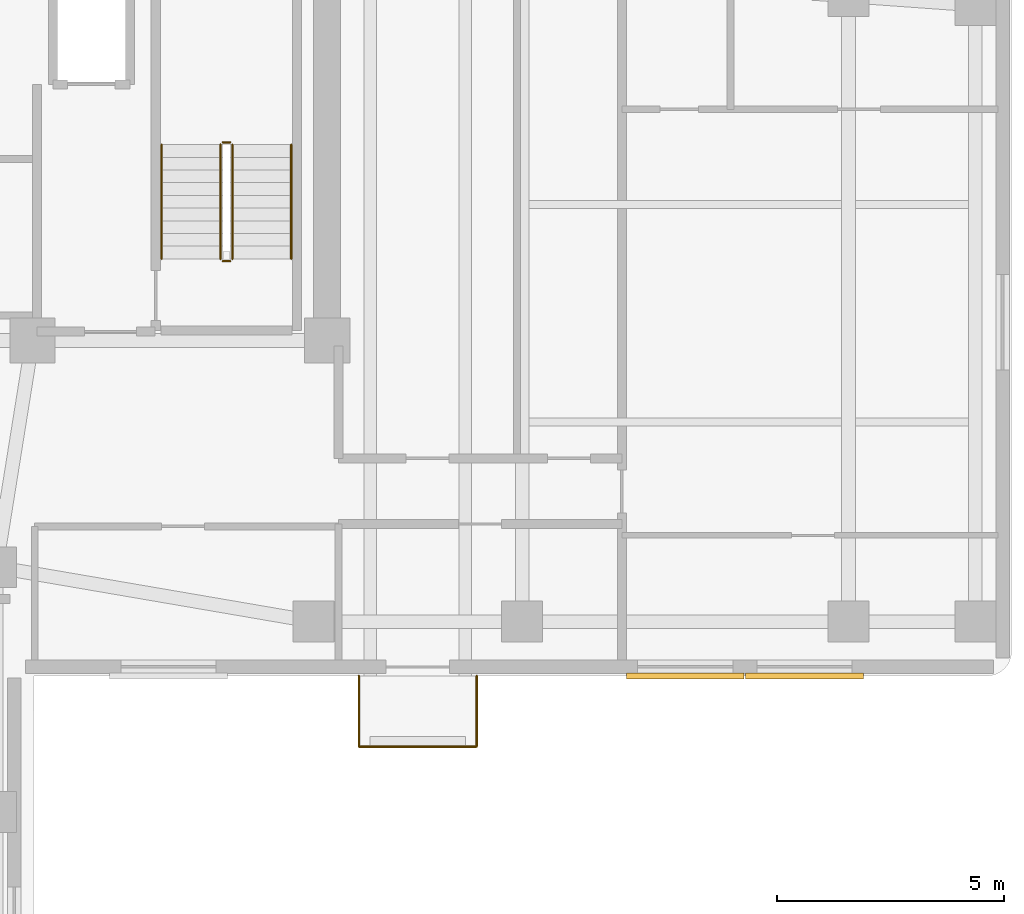
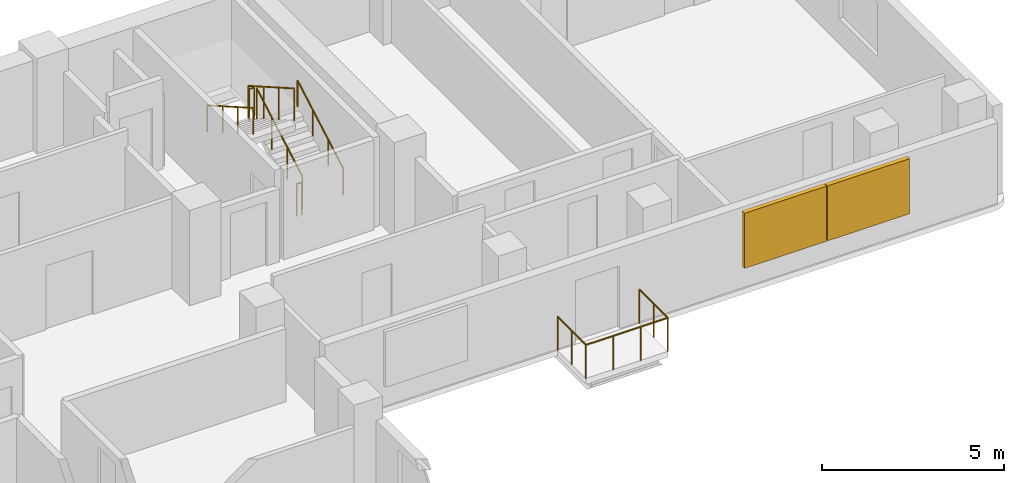
# One storey, part 7 of 7: 9 railings, 2 shading devices.
"""IFC4 building model written with IfcOpenShell, lengths in metres."""

from ifc_helpers import new_model, si_unit, direction, frame, origin, origin_2d, place, context, subcontext, project, spatial, rectangle, circle, extrude, material, layer, layer_set, type_object, element, save


model = new_model("IFC4")

# Units and contexts
model_context = context("Model", 3, precision=1e-05, world=origin(), true_north=direction((0.0, 1.0)))
body_context = subcontext(model_context, "Body", "Model", "MODEL_VIEW")
ifc_project = project(units=[si_unit("LENGTHUNIT", "METRE"), si_unit("AREAUNIT", "SQUARE_METRE"), si_unit("VOLUMEUNIT", "CUBIC_METRE"), si_unit("PLANEANGLEUNIT", "RADIAN"), si_unit("MASSUNIT", "GRAM", prefix="KILO")], contexts=[model_context])

# Site, building, storey
site_placement = place(None, origin())
site = spatial("IfcSite", under=ifc_project, at=site_placement, CompositionType="ELEMENT")
building_placement = place(site_placement, origin())
building = spatial("IfcBuilding", under=site, at=building_placement, Name="Kuzgunbayir Cultural Tower", CompositionType="ELEMENT")
storey_placement = place(building_placement, frame((0.0, 0.0, 185.60009765625)))
storey = spatial("IfcBuildingStorey", under=building, at=storey_placement, Name="L54", CompositionType="ELEMENT", Elevation=185.60009765625)

# Railings
ifc_material_1 = material(Name="Laminated Glass and Stainless Steel", Category="steel")
ifc_layer_1 = layer(ifc_material_1, 0.080078125)
ifc_layer_set_1 = layer_set([ifc_layer_1], Name="Laminated Glass and Stainless Steel")
railing_type_1 = type_object("IfcRailingType", Name="RLG-BAL-115", PredefinedType="BALUSTRADE", material=ifc_layer_set_1)
railing_1_placement = place(storey_placement, frame((27.60009765625, 26.39990234375, 0.0)))
element("IfcRailing", 1, at=railing_1_placement, inside=storey, type_object=railing_type_1, Name="L54 Balcony Guard BAL-L54-WB1 Segment 1", PredefinedType="BALUSTRADE", context=body_context, shape_type="SweptSolid", body=[
    extrude(circle(Radius=0.02392578125, at=origin_2d()), frame((0.0, 0.0, 1.1259765625), z_axis=(0.0, -1.0, 0.0), x_axis=(1.0, 0.0, 0.0)), (0.0, 0.0, 1.0), 1.559814453125),
    extrude(circle(Radius=0.02099609375, at=origin_2d()), origin(), (0.0, 0.0, 1.0), 1.101806640625),
    extrude(circle(Radius=0.02099609375, at=origin_2d()), frame((0.0, -0.77978515625, 0.0)), (0.0, 0.0, 1.0), 1.101806640625),
    extrude(circle(Radius=0.02099609375, at=origin_2d()), frame((0.0, -1.559814453125, 0.0)), (0.0, 0.0, 1.0), 1.101806640625),
])
railing_2_placement = place(storey_placement, frame((27.60009765625, 24.840087890625, 0.0)))
element("IfcRailing", 2, at=railing_2_placement, inside=storey, type_object=railing_type_1, Name="L54 Balcony Guard BAL-L54-WB1 Segment 2", PredefinedType="BALUSTRADE", context=body_context, shape_type="SweptSolid", body=[
    extrude(circle(Radius=0.02392578125, at=origin_2d()), frame((0.0, 0.0, 1.1259765625), z_axis=(1.0, 0.0, 0.0), x_axis=(0.0, 1.0, 0.0)), (0.0, 0.0, 1.0), 2.599853515625),
    extrude(circle(Radius=0.02099609375, at=origin_2d()), origin(), (0.0, 0.0, 1.0), 1.101806640625),
    extrude(circle(Radius=0.02099609375, at=origin_2d()), frame((0.86669921875, 0.0, 0.0)), (0.0, 0.0, 1.0), 1.101806640625),
    extrude(circle(Radius=0.02099609375, at=origin_2d()), frame((1.733154296875, 0.0, 0.0)), (0.0, 0.0, 1.0), 1.101806640625),
    extrude(circle(Radius=0.02099609375, at=origin_2d()), frame((2.599853515625, 0.0, 0.0)), (0.0, 0.0, 1.0), 1.101806640625),
])
railing_3_placement = place(storey_placement, frame((30.199951171875, 24.840087890625, 0.0)))
element("IfcRailing", 3, at=railing_3_placement, inside=storey, type_object=railing_type_1, Name="L54 Balcony Guard BAL-L54-WB1 Segment 3", PredefinedType="BALUSTRADE", context=body_context, shape_type="SweptSolid", body=[
    extrude(circle(Radius=0.02392578125, at=origin_2d()), frame((0.0, 0.0, 1.1259765625), z_axis=(0.0, 1.0, 0.0), x_axis=(-1.0, 0.0, 0.0)), (0.0, 0.0, 1.0), 1.559814453125),
    extrude(circle(Radius=0.02099609375, at=origin_2d()), origin(), (0.0, 0.0, 1.0), 1.101806640625),
    extrude(circle(Radius=0.02099609375, at=origin_2d()), frame((0.0, 0.77978515625, 0.0)), (0.0, 0.0, 1.0), 1.101806640625),
    extrude(circle(Radius=0.02099609375, at=origin_2d()), frame((0.0, 1.559814453125, 0.0)), (0.0, 0.0, 1.0), 1.101806640625),
])
ifc_material_2 = material(Name="Brushed Stainless Steel", Category="steel")
ifc_layer_2 = layer(ifc_material_2, 0.050048828125)
ifc_layer_set_2 = layer_set([ifc_layer_2], Name="Brushed Stainless Steel")
railing_type_2 = type_object("IfcRailingType", Name="RLG-STAIR-HANDRAIL", PredefinedType="HANDRAIL", material=ifc_layer_set_2)
railing_4_placement = place(storey_placement, frame((26.110107421875, 35.60009765625, 0.159912109375)))
element("IfcRailing", 4, at=railing_4_placement, inside=storey, type_object=railing_type_2, Name="L54 ST-2 stair handrail 1", PredefinedType="HANDRAIL", context=body_context, shape_type="SweptSolid", body=[
    extrude(circle(Radius=0.02392578125, at=origin_2d()), frame((0.0, 0.0, 0.8759765625), z_axis=(0.0, 0.868253494771, 0.496120820787), x_axis=(-1.0, 0.0, 0.0)), (0.0, 0.0, 1.0), 2.90234375),
    extrude(circle(Radius=0.02099609375, at=origin_2d()), origin(), (0.0, 0.0, 1.0), 0.851806640625),
    extrude(circle(Radius=0.02099609375, at=origin_2d()), frame((0.0, 0.840087890625, 0.47998046875)), (0.0, 0.0, 1.0), 0.851806640625),
    extrude(circle(Radius=0.02099609375, at=origin_2d()), frame((0.0, 1.679931640625, 0.9599609375)), (0.0, 0.0, 1.0), 0.851806640625),
    extrude(circle(Radius=0.02099609375, at=origin_2d()), frame((0.0, 2.52001953125, 1.43994140625)), (0.0, 0.0, 1.0), 0.851806640625),
])
railing_5_placement = place(storey_placement, frame((23.25, 38.1201171875, 1.760009765625)))
element("IfcRailing", 5, at=railing_5_placement, inside=storey, type_object=railing_type_2, Name="L54 ST-2 stair handrail 2", PredefinedType="HANDRAIL", context=body_context, shape_type="SweptSolid", body=[
    extrude(circle(Radius=0.02392578125, at=origin_2d()), frame((0.0, 0.0, 0.8759765625), z_axis=(0.0, -0.868253494771, 0.496120820787), x_axis=(1.0, 0.0, 0.0)), (0.0, 0.0, 1.0), 2.90234375),
    extrude(circle(Radius=0.02099609375, at=origin_2d()), origin(), (0.0, 0.0, 1.0), 0.851806640625),
    extrude(circle(Radius=0.02099609375, at=origin_2d()), frame((0.0, -0.840087890625, 0.47998046875)), (0.0, 0.0, 1.0), 0.851806640625),
    extrude(circle(Radius=0.02099609375, at=origin_2d()), frame((0.0, -1.679931640625, 0.9599609375)), (0.0, 0.0, 1.0), 0.851806640625),
    extrude(circle(Radius=0.02099609375, at=origin_2d()), frame((0.0, -2.52001953125, 1.43994140625)), (0.0, 0.0, 1.0), 0.851806640625),
])
ifc_material_3 = material(Name="Painted Steel Balustrade", Category="steel")
ifc_layer_3 = layer(ifc_material_3, 0.06005859375)
ifc_layer_set_3 = layer_set([ifc_layer_3], Name="Painted Steel Balustrade")
railing_type_3 = type_object("IfcRailingType", Name="RLG-WELL-GUARD", PredefinedType="GUARDRAIL", material=ifc_layer_set_3)
railing_6_placement = place(storey_placement, frame((24.81005859375, 35.60009765625, 0.159912109375)))
element("IfcRailing", 6, at=railing_6_placement, inside=storey, type_object=railing_type_3, Name="L54 ST-2 stair guard 1", PredefinedType="GUARDRAIL", context=body_context, shape_type="SweptSolid", body=[
    extrude(circle(Radius=0.02392578125, at=origin_2d()), frame((0.0, 0.0, 1.076171875), z_axis=(0.0, 0.868253494771, 0.496120820787), x_axis=(-1.0, 0.0, 0.0)), (0.0, 0.0, 1.0), 2.90234375),
    extrude(circle(Radius=0.02099609375, at=origin_2d()), origin(), (0.0, 0.0, 1.0), 1.052001953125),
    extrude(circle(Radius=0.02099609375, at=origin_2d()), frame((0.0, 0.840087890625, 0.47998046875)), (0.0, 0.0, 1.0), 1.052001953125),
    extrude(circle(Radius=0.02099609375, at=origin_2d()), frame((0.0, 1.679931640625, 0.9599609375)), (0.0, 0.0, 1.0), 1.052001953125),
    extrude(circle(Radius=0.02099609375, at=origin_2d()), frame((0.0, 2.52001953125, 1.43994140625)), (0.0, 0.0, 1.0), 1.052001953125),
])
railing_7_placement = place(storey_placement, frame((24.760009765625, 38.169921875, 1.599853515625)))
element("IfcRailing", 7, at=railing_7_placement, inside=storey, type_object=railing_type_3, Name="L54 ST-2 stair guard 2", PredefinedType="GUARDRAIL", context=body_context, shape_type="SweptSolid", body=[
    extrude(circle(Radius=0.02392578125, at=origin_2d()), frame((0.0, 0.0, 1.076171875), z_axis=(-1.0, 0.0, 0.0), x_axis=(0.0, -1.0, 0.0)), (0.0, 0.0, 1.0), 0.159912109375),
    extrude(circle(Radius=0.02099609375, at=origin_2d()), origin(), (0.0, 0.0, 1.0), 1.052001953125),
    extrude(circle(Radius=0.02099609375, at=origin_2d()), frame((-0.159912109375, 0.0, 0.0)), (0.0, 0.0, 1.0), 1.052001953125),
])
railing_8_placement = place(storey_placement, frame((24.550048828125, 38.1201171875, 1.760009765625)))
element("IfcRailing", 8, at=railing_8_placement, inside=storey, type_object=railing_type_3, Name="L54 ST-2 stair guard 3", PredefinedType="GUARDRAIL", context=body_context, shape_type="SweptSolid", body=[
    extrude(circle(Radius=0.02392578125, at=origin_2d()), frame((0.0, 0.0, 1.076171875), z_axis=(0.0, -0.868253494771, 0.496120820787), x_axis=(1.0, 0.0, 0.0)), (0.0, 0.0, 1.0), 2.90234375),
    extrude(circle(Radius=0.02099609375, at=origin_2d()), origin(), (0.0, 0.0, 1.0), 1.052001953125),
    extrude(circle(Radius=0.02099609375, at=origin_2d()), frame((0.0, -0.840087890625, 0.47998046875)), (0.0, 0.0, 1.0), 1.052001953125),
    extrude(circle(Radius=0.02099609375, at=origin_2d()), frame((0.0, -1.679931640625, 0.9599609375)), (0.0, 0.0, 1.0), 1.052001953125),
    extrude(circle(Radius=0.02099609375, at=origin_2d()), frame((0.0, -2.52001953125, 1.43994140625)), (0.0, 0.0, 1.0), 1.052001953125),
])
railing_9_placement = place(storey_placement, frame((24.760009765625, 35.550048828125, 0.0)))
element("IfcRailing", 9, at=railing_9_placement, inside=storey, type_object=railing_type_3, Name="L54 ST-2 stair guard 4", PredefinedType="GUARDRAIL", context=body_context, shape_type="SweptSolid", body=[
    extrude(circle(Radius=0.02392578125, at=origin_2d()), frame((0.0, 0.0, 1.076171875), z_axis=(-1.0, 0.0, 0.0), x_axis=(0.0, -1.0, 0.0)), (0.0, 0.0, 1.0), 0.159912109375),
    extrude(circle(Radius=0.02099609375, at=origin_2d()), origin(), (0.0, 0.0, 1.0), 1.052001953125),
    extrude(circle(Radius=0.02099609375, at=origin_2d()), frame((-0.159912109375, 0.0, 0.0)), (0.0, 0.0, 1.0), 1.052001953125),
])

# Shading devices
ifc_material_4 = material(Name="Perforated Bronze-Anodised Aluminium", Category="aluminium")
shading_device_type = type_object("IfcShadingDeviceType", Name="SHD-SOLAR-BRONZE", PredefinedType="JALOUSIE", material=ifc_material_4)
for number, where, z_axis, x_axis, name in (
    (10, (37.429931640625, 26.39990234375, 0.724853515625), (0.0, 0.0, 1.0), (1.0, 0.0, 0.0), "L54 Solar Screen WBS7"),
    (11, (34.800048828125, 26.39990234375, 0.724853515625), (0.0, 0.0, 1.0), (1.0, 0.0, 0.0), "L54 Solar Screen WBS18"),
):
    element("IfcShadingDevice", number, at=place(storey_placement, frame(where, z_axis=z_axis, x_axis=x_axis)), inside=storey, type_object=shading_device_type, Name=name, PredefinedType="JALOUSIE", context=body_context, shape_type="SweptSolid", body=[
        extrude(rectangle(XDim=2.60009765625, YDim=0.139892578125, at=origin_2d()), origin(), (0.0, 0.0, 1.0), 1.85009765625),
    ])

save(model, "model.ifc")
